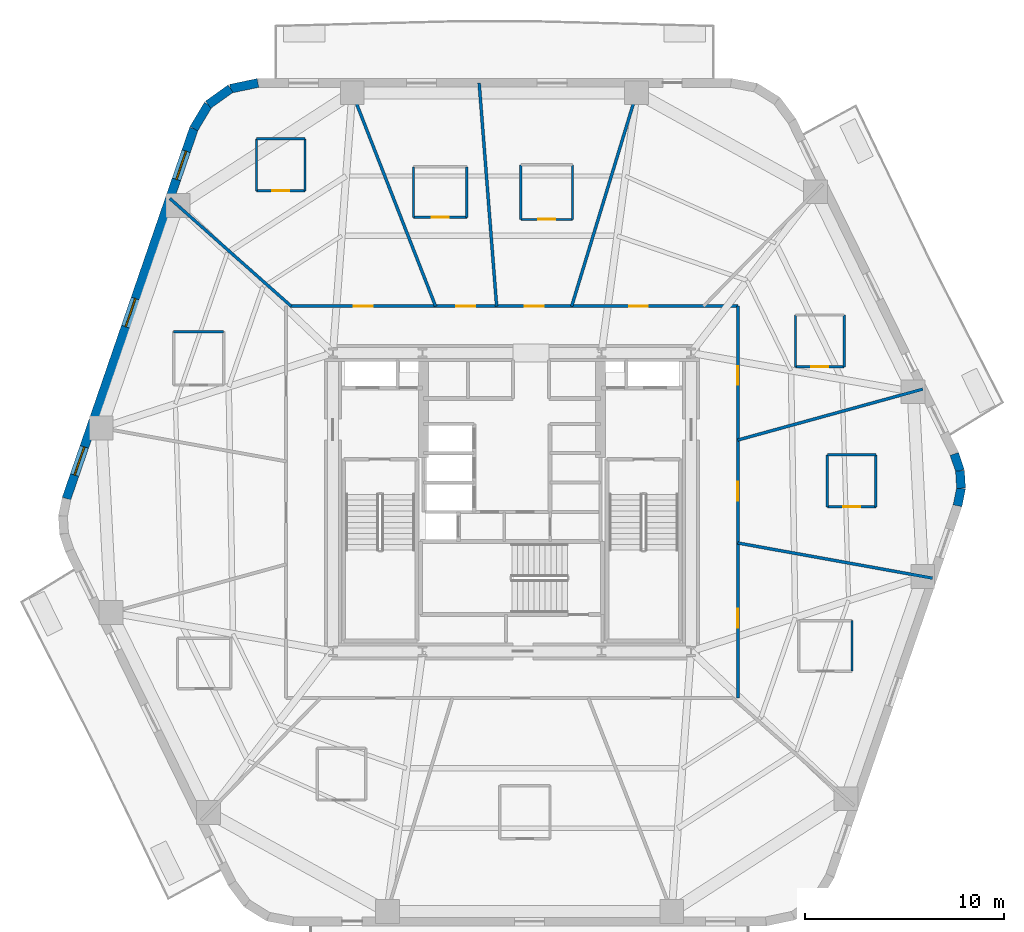
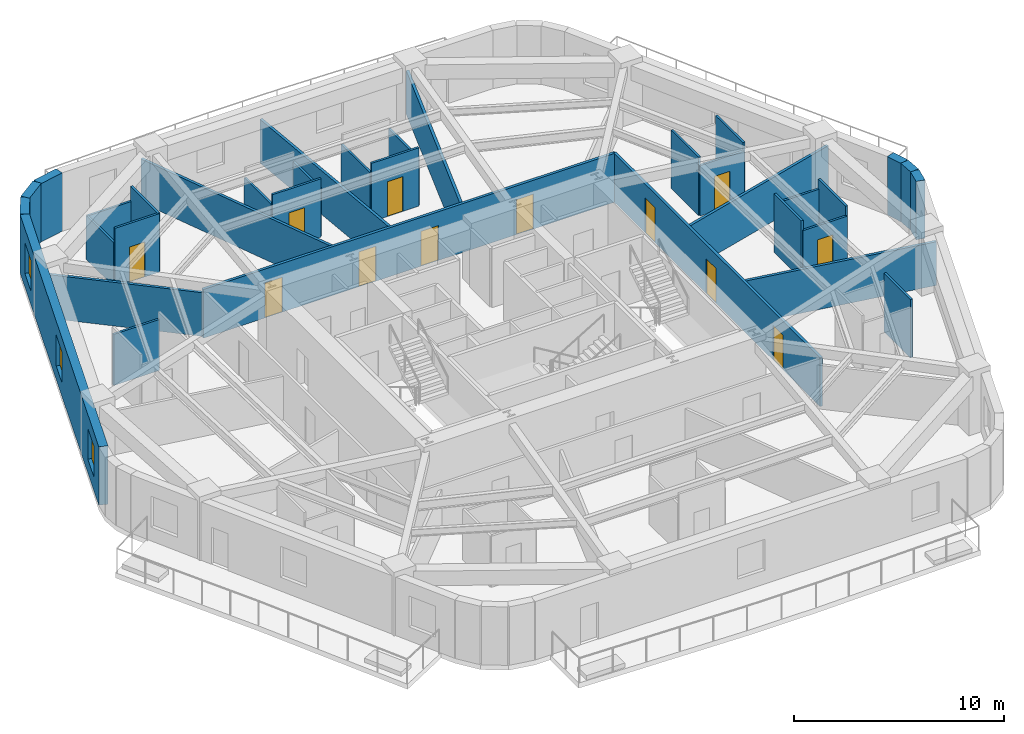
# One storey, part 5 of 9: 34 walls, 12 doors, 3 windows, 15 openings.
"""IFC4 building model written with IfcOpenShell, lengths in metres."""

from ifc_helpers import new_model, si_unit, direction, frame, frame_2d, origin, place, context, subcontext, project, spatial, rectangle, extrude, material, layer, layer_set, type_object, element, fill, save


model = new_model("IFC4")

# Units and contexts
model_context = context("Model", 3, precision=1e-05, world=origin(), true_north=direction((0.0, 1.0)))
body_context = subcontext(model_context, "Body", "Model", "MODEL_VIEW")
ifc_project = project(units=[si_unit("LENGTHUNIT", "METRE"), si_unit("AREAUNIT", "SQUARE_METRE"), si_unit("VOLUMEUNIT", "CUBIC_METRE"), si_unit("PLANEANGLEUNIT", "RADIAN"), si_unit("MASSUNIT", "GRAM", prefix="KILO")], contexts=[model_context])

# Site, building, storey
site_placement = place(None, origin())
site = spatial("IfcSite", under=ifc_project, at=site_placement, CompositionType="ELEMENT")
building_placement = place(site_placement, origin())
building = spatial("IfcBuilding", under=site, at=building_placement, Name="Kilnhurst Terrace Hotel", CompositionType="ELEMENT")
storey_placement = place(building_placement, frame((0.0, 0.0, 124.699951171875)))
storey = spatial("IfcBuildingStorey", under=building, at=storey_placement, Name="L30", CompositionType="ELEMENT", Elevation=124.699951171875)

# Walls
ifc_material_1 = material(Name="Precast concrete C40/50", Category="concrete")
ifc_layer_1 = layer(ifc_material_1, 0.449951171875, Name="Precast concrete C40/50")
ifc_layer_set_1 = layer_set([ifc_layer_1], Name="Precast concrete C40/50")
wall_type_1 = type_object("IfcWallType", Name="WL-BRK-450", PredefinedType="SOLIDWALL", material=ifc_layer_set_1)
wall_1_placement = place(storey_placement, frame((22.39697265625, -0.17919921875, 0.0), z_axis=(0.0, 0.0, 1.0), x_axis=(0.199313589404, 0.979935759669, 0.0)))
element("IfcWall", 1, at=wall_1_placement, inside=storey, type_object=wall_type_1, Name="L30 Rounded Corner Brick Wall C3.1", PredefinedType="SOLIDWALL", context=body_context, shape_type="SweptSolid", body=[
    extrude(rectangle(XDim=0.8955078125, YDim=0.449951171875, at=frame_2d((0.44775390625, 0.0))), origin(), (0.0, 0.0, 1.0), 3.400146484375),
])
wall_2_placement = place(storey_placement, frame((22.575439453125, 0.6982421875, 0.0), z_axis=(0.0, 0.0, 1.0), x_axis=(-0.060980441946, 0.998138961117, 0.0)))
element("IfcWall", 2, at=wall_2_placement, inside=storey, type_object=wall_type_1, Name="L30 Rounded Corner Brick Wall C3.2", PredefinedType="SOLIDWALL", context=body_context, shape_type="SweptSolid", body=[
    extrude(rectangle(XDim=0.880859375, YDim=0.449951171875, at=frame_2d((0.4404296875, 0.0))), origin(), (0.0, 0.0, 1.0), 3.400146484375),
])
wall_3_placement = place(storey_placement, frame((22.521728515625, 1.577392578125, 0.0), z_axis=(0.0, 0.0, 1.0), x_axis=(-0.317372694837, 0.948300887151, 0.0)))
element("IfcWall", 3, at=wall_3_placement, inside=storey, type_object=wall_type_1, Name="L30 Rounded Corner Brick Wall C3.3", PredefinedType="SOLIDWALL", context=body_context, shape_type="SweptSolid", body=[
    extrude(rectangle(XDim=0.8955078125, YDim=0.449951171875, at=frame_2d((0.44775390625, 0.0))), origin(), (0.0, 0.0, 1.0), 3.400146484375),
])
wall_4_placement = place(storey_placement, frame((-12.7705078125, 21.074951171875, 0.0), z_axis=(0.0, 0.0, 1.0), x_axis=(-0.97874281988, -0.205091424819, 0.0)))
element("IfcWall", 4, at=wall_4_placement, inside=storey, type_object=wall_type_1, Name="L30 Rounded Corner Brick Wall C5.1", PredefinedType="SOLIDWALL", context=body_context, shape_type="SweptSolid", body=[
    extrude(rectangle(XDim=1.40576171875, YDim=0.449951171875, at=frame_2d((0.702880859375, 0.0))), origin(), (0.0, 0.0, 1.0), 3.400146484375),
])
wall_5_placement = place(storey_placement, frame((-14.146484375, 20.78662109375, 0.0), z_axis=(0.0, 0.0, 1.0), x_axis=(-0.814162929117, -0.580636482536, 0.0)))
element("IfcWall", 5, at=wall_5_placement, inside=storey, type_object=wall_type_1, Name="L30 Rounded Corner Brick Wall C5.2", PredefinedType="SOLIDWALL", context=body_context, shape_type="SweptSolid", body=[
    extrude(rectangle(XDim=1.382080078125, YDim=0.449951171875, at=frame_2d((0.69091796875, 0.0))), origin(), (0.0, 0.0, 1.0), 3.400146484375),
])
wall_6_placement = place(storey_placement, frame((-15.271728515625, 19.984130859375, 0.0), z_axis=(0.0, 0.0, 1.0), x_axis=(-0.512579347361, -0.858639862025, 0.0)))
element("IfcWall", 6, at=wall_6_placement, inside=storey, type_object=wall_type_1, Name="L30 Rounded Corner Brick Wall C5.3", PredefinedType="SOLIDWALL", context=body_context, shape_type="SweptSolid", body=[
    extrude(rectangle(XDim=1.406005859375, YDim=0.449951171875, at=frame_2d((0.703125, 0.0))), origin(), (0.0, 0.0, 1.0), 3.400146484375),
])

# Wall, openings, windows
wall_7_placement = place(storey_placement, frame((-15.992431640625, 18.77685546875, 0.0), z_axis=(0.0, 0.0, 1.0), x_axis=(-0.325606988926, -0.945505202927, 0.0)))
wall_7 = element("IfcWall", 7, at=wall_7_placement, inside=storey, type_object=wall_type_1, Name="L30 Exterior Brick Facade Wall F5", PredefinedType="SOLIDWALL", context=body_context, shape_type="SweptSolid", body=[
    extrude(rectangle(XDim=19.66943359375, YDim=0.449951171875, at=frame_2d((9.834716796875, 0.0))), origin(), (0.0, 0.0, 1.0), 3.400146484375),
])
opening_1_placement = place(wall_7_placement, frame((1.197021484375, 0.0, 0.800048828125)))
opening_1 = element("IfcOpeningElement", 8, at=opening_1_placement, cuts=wall_7, Name="Opening W-02", PredefinedType="OPENING", context=body_context, shape_type="SweptSolid", body=[
    extrude(rectangle(XDim=1.5, YDim=1.800048828125, at=frame_2d((0.75, 0.89990234375))), frame((0.0, 0.23486328125, 0.0), z_axis=(0.0, -1.0, 0.0), x_axis=(1.0, 0.0, 0.0)), (0.0, 0.0, 1.0), 0.469970703125),
])
opening_2_placement = place(wall_7_placement, frame((9.030029296875, 0.0, 0.800048828125)))
opening_2 = element("IfcOpeningElement", 9, at=opening_2_placement, cuts=wall_7, Name="Opening W-02", PredefinedType="OPENING", context=body_context, shape_type="SweptSolid", body=[
    extrude(rectangle(XDim=1.5, YDim=1.800048828125, at=frame_2d((0.75, 0.89990234375))), frame((0.0, 0.23486328125, 0.0), z_axis=(0.0, -1.0, 0.0), x_axis=(1.0, 0.0, 0.0)), (0.0, 0.0, 1.0), 0.469970703125),
])
opening_3_placement = place(wall_7_placement, frame((16.91796875, 0.0, 0.800048828125)))
opening_3 = element("IfcOpeningElement", 10, at=opening_3_placement, cuts=wall_7, Name="Opening W-02", PredefinedType="OPENING", context=body_context, shape_type="SweptSolid", body=[
    extrude(rectangle(XDim=1.5, YDim=1.800048828125, at=frame_2d((0.75, 0.89990234375))), frame((0.0, 0.23486328125, 0.0), z_axis=(0.0, -1.0, 0.0), x_axis=(1.0, 0.0, 0.0)), (0.0, 0.0, 1.0), 0.469970703125),
])
ifc_material_2 = material(Name="Thermally Broken Bronze Aluminium Alloy 6063-T6 and Low-E Glass", Category="aluminium")
window_type = type_object("IfcWindowType", Name="WIN-1500X1800", PartitioningType="SINGLE_PANEL", PredefinedType="WINDOW", material=ifc_material_2)
window_1_placement = place(opening_1_placement, origin())
window_1 = element("IfcWindow", 11, at=window_1_placement, inside=storey, type_object=window_type, Name="L30 Deep-Set Masonry Window F5.1", OverallHeight=1.800048828125, OverallWidth=1.5, PartitioningType="SINGLE_PANEL", PredefinedType="WINDOW", context=body_context, shape_type="SweptSolid", body=[
    extrude(rectangle(XDim=1.5, YDim=1.800048828125, at=frame_2d((0.75, 0.89990234375))), frame((0.0, 0.030029296875, 0.0), z_axis=(0.0, -1.0, 0.0), x_axis=(1.0, 0.0, 0.0)), (0.0, 0.0, 1.0), 0.06005859375),
])
fill(opening_1, window_1)
window_2_placement = place(opening_2_placement, origin())
window_2 = element("IfcWindow", 12, at=window_2_placement, inside=storey, type_object=window_type, Name="L30 Deep-Set Masonry Window F5.2", OverallHeight=1.800048828125, OverallWidth=1.5, PartitioningType="SINGLE_PANEL", PredefinedType="WINDOW", context=body_context, shape_type="SweptSolid", body=[
    extrude(rectangle(XDim=1.5, YDim=1.800048828125, at=frame_2d((0.75, 0.89990234375))), frame((0.0, 0.030029296875, 0.0), z_axis=(0.0, -1.0, 0.0), x_axis=(1.0, 0.0, 0.0)), (0.0, 0.0, 1.0), 0.06005859375),
])
fill(opening_2, window_2)
window_3_placement = place(opening_3_placement, origin())
window_3 = element("IfcWindow", 13, at=window_3_placement, inside=storey, type_object=window_type, Name="L30 Deep-Set Masonry Window F5.3", OverallHeight=1.800048828125, OverallWidth=1.5, PartitioningType="SINGLE_PANEL", PredefinedType="WINDOW", context=body_context, shape_type="SweptSolid", body=[
    extrude(rectangle(XDim=1.5, YDim=1.800048828125, at=frame_2d((0.75, 0.89990234375))), frame((0.0, 0.030029296875, 0.0), z_axis=(0.0, -1.0, 0.0), x_axis=(1.0, 0.0, 0.0)), (0.0, 0.0, 1.0), 0.06005859375),
])
fill(opening_3, window_3)

# Wall, openings, doors
ifc_material_3 = material(Name="Acoustic Double-Gypsum Corridor Partition Assembly")
ifc_layer_2 = layer(ifc_material_3, 0.14990234375, Name="Acoustic Double-Gypsum Corridor Partition Assembly")
ifc_layer_set_2 = layer_set([ifc_layer_2], Name="Acoustic Double-Gypsum Corridor Partition Assembly")
wall_type_2 = type_object("IfcWallType", Name="WL-COR-150", PredefinedType="PARTITIONING", material=ifc_layer_set_2)
wall_8_placement = place(storey_placement, frame((-11.35009765625, 9.85009765625, 0.0), z_axis=(0.0, 0.0, 1.0), x_axis=(1.0, 0.0, 0.0)))
wall_8 = element("IfcWall", 14, at=wall_8_placement, inside=storey, type_object=wall_type_2, Name="L30 Interior Wall WL-L30-COR-02", PredefinedType="PARTITIONING", context=body_context, shape_type="SweptSolid", body=[
    extrude(rectangle(XDim=22.7001953125, YDim=0.14990234375, at=frame_2d((11.35009765625, 0.0))), origin(), (0.0, 0.0, 1.0), 2.840087890625),
])
opening_4_placement = place(wall_8_placement, frame((17.237060546875, 0.0, 0.0)))
opening_4 = element("IfcOpeningElement", 15, at=opening_4_placement, cuts=wall_8, Name="Opening D-60B", PredefinedType="OPENING", context=body_context, shape_type="SweptSolid", body=[
    extrude(rectangle(XDim=0.949951171875, YDim=2.030029296875, at=frame_2d((0.47509765625, 1.01513671875))), frame((0.0, 0.0849609375, 0.0), z_axis=(0.0, -1.0, 0.0), x_axis=(1.0, 0.0, 0.0)), (0.0, 0.0, 1.0), 0.169921875),
])
opening_5_placement = place(wall_8_placement, frame((11.993896484375, 0.0, 0.0)))
opening_5 = element("IfcOpeningElement", 16, at=opening_5_placement, cuts=wall_8, Name="Opening D-60B", PredefinedType="OPENING", context=body_context, shape_type="SweptSolid", body=[
    extrude(rectangle(XDim=0.949951171875, YDim=2.030029296875, at=frame_2d((0.47509765625, 1.01513671875))), frame((0.0, 0.0849609375, 0.0), z_axis=(0.0, -1.0, 0.0), x_axis=(1.0, 0.0, 0.0)), (0.0, 0.0, 1.0), 0.169921875),
])
opening_6_placement = place(wall_8_placement, frame((8.55908203125, 0.0, 0.0)))
opening_6 = element("IfcOpeningElement", 17, at=opening_6_placement, cuts=wall_8, Name="Opening D-60B", PredefinedType="OPENING", context=body_context, shape_type="SweptSolid", body=[
    extrude(rectangle(XDim=0.949951171875, YDim=2.030029296875, at=frame_2d((0.47509765625, 1.01513671875))), frame((0.0, 0.0849609375, 0.0), z_axis=(0.0, -1.0, 0.0), x_axis=(1.0, 0.0, 0.0)), (0.0, 0.0, 1.0), 0.169921875),
])
opening_7_placement = place(wall_8_placement, frame((3.39892578125, 0.0, 0.0)))
opening_7 = element("IfcOpeningElement", 18, at=opening_7_placement, cuts=wall_8, Name="Opening D-60B", PredefinedType="OPENING", context=body_context, shape_type="SweptSolid", body=[
    extrude(rectangle(XDim=0.949951171875, YDim=2.030029296875, at=frame_2d((0.47509765625, 1.01513671875))), frame((0.0, 0.0849609375, 0.0), z_axis=(0.0, -1.0, 0.0), x_axis=(1.0, 0.0, 0.0)), (0.0, 0.0, 1.0), 0.169921875),
])
ifc_material_4 = material(Name="Acoustic Walnut Veneer Solid-Core Fire Door")
door_type_1 = type_object("IfcDoorType", Name="DR-FD60-950", OperationType="NOTDEFINED", PredefinedType="DOOR", material=ifc_material_4)
door_1_placement = place(opening_4_placement, origin())
door_1 = element("IfcDoor", 19, at=door_1_placement, inside=storey, type_object=door_type_1, Name="L30 Wellness Hydrotherapy Room Door", OperationType="SINGLE_SWING_RIGHT", OverallHeight=2.030029296875, OverallWidth=0.949951171875, PredefinedType="DOOR", context=body_context, shape_type="SweptSolid", body=[
    extrude(rectangle(XDim=0.949951171875, YDim=2.030029296875, at=frame_2d((0.47509765625, 1.01513671875))), frame((0.0, 0.02490234375, 0.0), z_axis=(0.0, -1.0, 0.0), x_axis=(1.0, 0.0, 0.0)), (0.0, 0.0, 1.0), 0.050048828125),
])
fill(opening_4, door_1)
door_2_placement = place(opening_5_placement, origin())
door_2 = element("IfcDoor", 20, at=door_2_placement, inside=storey, type_object=door_type_1, Name="L30 Guest Room Entry Door 3", OperationType="SINGLE_SWING_LEFT", OverallHeight=2.030029296875, OverallWidth=0.949951171875, PredefinedType="DOOR", context=body_context, shape_type="SweptSolid", body=[
    extrude(rectangle(XDim=0.949951171875, YDim=2.030029296875, at=frame_2d((0.47509765625, 1.01513671875))), frame((0.0, 0.02490234375, 0.0), z_axis=(0.0, -1.0, 0.0), x_axis=(1.0, 0.0, 0.0)), (0.0, 0.0, 1.0), 0.050048828125),
])
fill(opening_5, door_2)
door_3_placement = place(opening_6_placement, origin())
door_3 = element("IfcDoor", 21, at=door_3_placement, inside=storey, type_object=door_type_1, Name="L30 Guest Room Entry Door 4", OperationType="SINGLE_SWING_RIGHT", OverallHeight=2.030029296875, OverallWidth=0.949951171875, PredefinedType="DOOR", context=body_context, shape_type="SweptSolid", body=[
    extrude(rectangle(XDim=0.949951171875, YDim=2.030029296875, at=frame_2d((0.47509765625, 1.01513671875))), frame((0.0, 0.02490234375, 0.0), z_axis=(0.0, -1.0, 0.0), x_axis=(1.0, 0.0, 0.0)), (0.0, 0.0, 1.0), 0.050048828125),
])
fill(opening_6, door_3)
door_4_placement = place(opening_7_placement, origin())
door_4 = element("IfcDoor", 22, at=door_4_placement, inside=storey, type_object=door_type_1, Name="L30 Executive Suite Entry Door 5", OperationType="SINGLE_SWING_LEFT", OverallHeight=2.030029296875, OverallWidth=0.949951171875, PredefinedType="DOOR", context=body_context, shape_type="SweptSolid", body=[
    extrude(rectangle(XDim=0.949951171875, YDim=2.030029296875, at=frame_2d((0.47509765625, 1.01513671875))), frame((0.0, 0.02490234375, 0.0), z_axis=(0.0, -1.0, 0.0), x_axis=(1.0, 0.0, 0.0)), (0.0, 0.0, 1.0), 0.050048828125),
])
fill(opening_7, door_4)

wall_9_placement = place(storey_placement, frame((11.35009765625, 9.85009765625, 0.0), z_axis=(0.0, 0.0, 1.0), x_axis=(0.0, -1.0, 0.0)))
wall_9 = element("IfcWall", 23, at=wall_9_placement, inside=storey, type_object=wall_type_2, Name="L30 Interior Wall WL-L30-COR-03", PredefinedType="PARTITIONING", context=body_context, shape_type="SweptSolid", body=[
    extrude(rectangle(XDim=19.7001953125, YDim=0.14990234375, at=frame_2d((9.85009765625, 0.0))), origin(), (0.0, 0.0, 1.0), 2.840087890625),
])
opening_8_placement = place(wall_9_placement, frame((3.008056640625, 0.0, 0.0)))
opening_8 = element("IfcOpeningElement", 24, at=opening_8_placement, cuts=wall_9, Name="Opening D-60B", PredefinedType="OPENING", context=body_context, shape_type="SweptSolid", body=[
    extrude(rectangle(XDim=0.949951171875, YDim=2.030029296875, at=frame_2d((0.47509765625, 1.01513671875))), frame((0.0, 0.0849609375, 0.0), z_axis=(0.0, -1.0, 0.0), x_axis=(1.0, 0.0, 0.0)), (0.0, 0.0, 1.0), 0.169921875),
])
opening_9_placement = place(wall_9_placement, frame((15.205078125, 0.0, 0.0)))
opening_9 = element("IfcOpeningElement", 25, at=opening_9_placement, cuts=wall_9, Name="Opening D-60B", PredefinedType="OPENING", context=body_context, shape_type="SweptSolid", body=[
    extrude(rectangle(XDim=0.949951171875, YDim=2.030029296875, at=frame_2d((0.47509765625, 1.01513671875))), frame((0.0, 0.0849609375, 0.0), z_axis=(0.0, -1.0, 0.0), x_axis=(1.0, 0.0, 0.0)), (0.0, 0.0, 1.0), 0.169921875),
])
opening_10_placement = place(wall_9_placement, frame((8.8359375, 0.0, 0.0)))
opening_10 = element("IfcOpeningElement", 26, at=opening_10_placement, cuts=wall_9, Name="Opening D-60B", PredefinedType="OPENING", context=body_context, shape_type="SweptSolid", body=[
    extrude(rectangle(XDim=0.949951171875, YDim=2.030029296875, at=frame_2d((0.47509765625, 1.01513671875))), frame((0.0, 0.0849609375, 0.0), z_axis=(0.0, -1.0, 0.0), x_axis=(1.0, 0.0, 0.0)), (0.0, 0.0, 1.0), 0.169921875),
])
door_5_placement = place(opening_8_placement, origin())
door_5 = element("IfcDoor", 27, at=door_5_placement, inside=storey, type_object=door_type_1, Name="L30 Executive Suite Entry Door 1", OperationType="SINGLE_SWING_LEFT", OverallHeight=2.030029296875, OverallWidth=0.949951171875, PredefinedType="DOOR", context=body_context, shape_type="SweptSolid", body=[
    extrude(rectangle(XDim=0.949951171875, YDim=2.030029296875, at=frame_2d((0.47509765625, 1.01513671875))), frame((0.0, 0.02490234375, 0.0), z_axis=(0.0, -1.0, 0.0), x_axis=(1.0, 0.0, 0.0)), (0.0, 0.0, 1.0), 0.050048828125),
])
fill(opening_8, door_5)
door_6_placement = place(opening_9_placement, origin())
door_6 = element("IfcDoor", 28, at=door_6_placement, inside=storey, type_object=door_type_1, Name="L30 Executive Suite Entry Door 12", OperationType="SINGLE_SWING_RIGHT", OverallHeight=2.030029296875, OverallWidth=0.949951171875, PredefinedType="DOOR", context=body_context, shape_type="SweptSolid", body=[
    extrude(rectangle(XDim=0.949951171875, YDim=2.030029296875, at=frame_2d((0.47509765625, 1.01513671875))), frame((0.0, 0.02490234375, 0.0), z_axis=(0.0, -1.0, 0.0), x_axis=(1.0, 0.0, 0.0)), (0.0, 0.0, 1.0), 0.050048828125),
])
fill(opening_9, door_6)
door_7_placement = place(opening_10_placement, origin())
door_7 = element("IfcDoor", 29, at=door_7_placement, inside=storey, type_object=door_type_1, Name="L30 Executive Suite Entry Door 13", OperationType="SINGLE_SWING_LEFT", OverallHeight=2.030029296875, OverallWidth=0.949951171875, PredefinedType="DOOR", context=body_context, shape_type="SweptSolid", body=[
    extrude(rectangle(XDim=0.949951171875, YDim=2.030029296875, at=frame_2d((0.47509765625, 1.01513671875))), frame((0.0, 0.02490234375, 0.0), z_axis=(0.0, -1.0, 0.0), x_axis=(1.0, 0.0, 0.0)), (0.0, 0.0, 1.0), 0.050048828125),
])
fill(opening_10, door_7)

# Walls
ifc_material_5 = material(Name="STC-58 Acoustic Twin-Frame Guestroom Demising Partition")
ifc_layer_3 = layer(ifc_material_5, 0.14990234375, Name="STC-58 Acoustic Twin-Frame Guestroom Demising Partition")
ifc_layer_set_3 = layer_set([ifc_layer_3], Name="STC-58 Acoustic Twin-Frame Guestroom Demising Partition")
wall_type_3 = type_object("IfcWallType", Name="WL-DEM-150", PredefinedType="PARTITIONING", material=ifc_layer_set_3)
wall_10_placement = place(storey_placement, frame((11.35009765625, 3.123291015625, 0.0), z_axis=(0.0, 0.0, 1.0), x_axis=(0.964151983214, 0.265350623261, 0.0)))
element("IfcWall", 30, at=wall_10_placement, inside=storey, type_object=wall_type_3, Name="L30 Interior Wall WL-L30-DEM-COL01-01-1", PredefinedType="PARTITIONING", context=body_context, shape_type="SweptSolid", body=[
    extrude(rectangle(XDim=9.64501953125, YDim=0.14990234375, at=frame_2d((4.822509765625, 0.0))), origin(), (0.0, 0.0, 1.0), 2.5400390625),
])
wall_11_placement = place(storey_placement, frame((3.0, 9.85009765625, 0.0), z_axis=(0.0, 0.0, 1.0), x_axis=(0.291352035382, 0.95661590593, 0.0)))
element("IfcWall", 31, at=wall_11_placement, inside=storey, type_object=wall_type_3, Name="L30 Interior Wall WL-L30-DEM-COL03-03-1", PredefinedType="PARTITIONING", context=body_context, shape_type="SweptSolid", body=[
    extrude(rectangle(XDim=11.73388671875, YDim=0.14990234375, at=frame_2d((5.866943359375, 0.0))), origin(), (0.0, 0.0, 1.0), 2.5400390625),
])
wall_12_placement = place(storey_placement, frame((-0.771728515625, 9.85009765625, 0.0), z_axis=(0.0, 0.0, 1.0), x_axis=(-0.078125747145, 0.996943512759, 0.0)))
element("IfcWall", 32, at=wall_12_placement, inside=storey, type_object=wall_type_3, Name="L30 Interior Wall WL-L30-DEM-MID03-04-1", PredefinedType="PARTITIONING", context=body_context, shape_type="SweptSolid", body=[
    extrude(rectangle(XDim=11.25927734375, YDim=0.14990234375, at=frame_2d((5.629638671875, 0.0))), origin(), (0.0, 0.0, 1.0), 2.5400390625),
])
wall_13_placement = place(storey_placement, frame((-3.84228515625, 9.85009765625, 0.0), z_axis=(0.0, 0.0, 1.0), x_axis=(-0.363432685593, 0.931620460833, 0.0)))
element("IfcWall", 33, at=wall_13_placement, inside=storey, type_object=wall_type_3, Name="L30 Interior Wall WL-L30-DEM-COL04-05-1", PredefinedType="PARTITIONING", context=body_context, shape_type="SweptSolid", body=[
    extrude(rectangle(XDim=12.048828125, YDim=0.14990234375, at=frame_2d((6.0244140625, 0.0))), origin(), (0.0, 0.0, 1.0), 2.5400390625),
])
wall_14_placement = place(storey_placement, frame((-11.097900390625, 9.85009765625, 0.0), z_axis=(0.0, 0.0, 1.0), x_axis=(-0.747904295103, 0.663806572253, 0.0)))
element("IfcWall", 34, at=wall_14_placement, inside=storey, type_object=wall_type_3, Name="L30 Interior Wall WL-L30-DEM-COL05-06-1", PredefinedType="PARTITIONING", context=body_context, shape_type="SweptSolid", body=[
    extrude(rectangle(XDim=8.160400390625, YDim=0.14990234375, at=frame_2d((4.080078125, 0.0))), origin(), (0.0, 0.0, 1.0), 2.5400390625),
])
wall_15_placement = place(storey_placement, frame((11.35009765625, -2.05078125, 0.0), z_axis=(0.0, 0.0, 1.0), x_axis=(0.984068313063, -0.177790762484, 0.0)))
element("IfcWall", 35, at=wall_15_placement, inside=storey, type_object=wall_type_3, Name="L30 Interior Wall WL-L30-DEM-COL12-13-1", PredefinedType="PARTITIONING", context=body_context, shape_type="SweptSolid", body=[
    extrude(rectangle(XDim=9.951416015625, YDim=0.14990234375, at=frame_2d((4.9755859375, 0.0))), origin(), (0.0, 0.0, 1.0), 2.5400390625),
])

# Wall, opening, door
ifc_material_6 = material(Name="120 mm Moisture-Resistant Tile-Backed Bathroom Partition")
ifc_layer_4 = layer(ifc_material_6, 0.1201171875, Name="120 mm Moisture-Resistant Tile-Backed Bathroom Partition")
ifc_layer_set_4 = layer_set([ifc_layer_4], Name="120 mm Moisture-Resistant Tile-Backed Bathroom Partition")
wall_type_4 = type_object("IfcWallType", Name="WL-PART-120", PredefinedType="PARTITIONING", material=ifc_layer_set_4)
wall_16_placement = place(storey_placement, frame((14.2548828125, 6.800048828125, 0.0), z_axis=(0.0, 0.0, 1.0), x_axis=(1.0, 0.0, 0.0)))
wall_16 = element("IfcWall", 36, at=wall_16_placement, inside=storey, type_object=wall_type_4, Name="L30 Interior Wall WL-L30-BTH-01-1", PredefinedType="PARTITIONING", context=body_context, shape_type="SweptSolid", body=[
    extrude(rectangle(XDim=2.440185546875, YDim=0.1201171875, at=frame_2d((1.22021484375, 0.0))), origin(), (0.0, 0.0, 1.0), 2.926513671875),
])
opening_11_placement = place(wall_16_placement, frame((0.794921875, 0.0, 0.0)))
opening_11 = element("IfcOpeningElement", 37, at=opening_11_placement, cuts=wall_16, Name="Opening D-08A", PredefinedType="OPENING", context=body_context, shape_type="SweptSolid", body=[
    extrude(rectangle(XDim=0.85009765625, YDim=2.030029296875, at=frame_2d((0.425048828125, 1.01513671875))), frame((0.0, 0.070068359375, 0.0), z_axis=(0.0, -1.0, 0.0), x_axis=(1.0, 0.0, 0.0)), (0.0, 0.0, 1.0), 0.14013671875),
])
ifc_material_7 = material(Name="Moisture-Resistant Lacquered En-suite Bathroom Door")
door_type_2 = type_object("IfcDoorType", Name="DR-INT-850", OperationType="NOTDEFINED", PredefinedType="DOOR", material=ifc_material_7)
door_8_placement = place(opening_11_placement, origin())
door_8 = element("IfcDoor", 38, at=door_8_placement, inside=storey, type_object=door_type_2, Name="L30 En-suite Bathroom Door 1", OperationType="SINGLE_SWING_RIGHT", OverallHeight=2.030029296875, OverallWidth=0.85009765625, PredefinedType="DOOR", context=body_context, shape_type="SweptSolid", body=[
    extrude(rectangle(XDim=0.85009765625, YDim=2.030029296875, at=frame_2d((0.425048828125, 1.01513671875))), frame((0.0, 0.02490234375, 0.0), z_axis=(0.0, -1.0, 0.0), x_axis=(1.0, 0.0, 0.0)), (0.0, 0.0, 1.0), 0.050048828125),
])
fill(opening_11, door_8)

# Walls
for number, where, z_axis, x_axis, name in (
    (39, (16.695068359375, 6.800048828125, 0.0), (0.0, 0.0, 1.0), (0.0, 1.0, 0.0), "L30 Interior Wall WL-L30-BTH-01-2"),
    (40, (14.2548828125, 9.409912109375, 0.0), (0.0, 0.0, 1.0), (0.0, -1.0, 0.0), "L30 Interior Wall WL-L30-BTH-01-4"),
):
    element("IfcWall", number, at=place(storey_placement, frame(where, z_axis=z_axis, x_axis=x_axis)), inside=storey, type_object=wall_type_4, Name=name, PredefinedType="PARTITIONING", context=body_context, shape_type="SweptSolid", body=[
        extrude(rectangle(XDim=2.60986328125, YDim=0.1201171875, at=frame_2d((1.304931640625, 0.0))), origin(), (0.0, 0.0, 1.0), 3.400146484375),
    ])

# Wall, opening, door
wall_17_placement = place(storey_placement, frame((0.44091796875, 14.2119140625, 0.0), z_axis=(0.0, 0.0, 1.0), x_axis=(1.0, 0.0, 0.0)))
wall_17 = element("IfcWall", 41, at=wall_17_placement, inside=storey, type_object=wall_type_4, Name="L30 Interior Wall WL-L30-BTH-03-1", PredefinedType="PARTITIONING", context=body_context, shape_type="SweptSolid", body=[
    extrude(rectangle(XDim=2.60009765625, YDim=0.1201171875, at=frame_2d((1.300048828125, 0.0))), origin(), (0.0, 0.0, 1.0), 3.400146484375),
])
opening_12_placement = place(wall_17_placement, frame((0.875, 0.0, 0.0)))
opening_12 = element("IfcOpeningElement", 42, at=opening_12_placement, cuts=wall_17, Name="Opening D-08A", PredefinedType="OPENING", context=body_context, shape_type="SweptSolid", body=[
    extrude(rectangle(XDim=0.85009765625, YDim=2.030029296875, at=frame_2d((0.425048828125, 1.01513671875))), frame((0.0, 0.070068359375, 0.0), z_axis=(0.0, -1.0, 0.0), x_axis=(1.0, 0.0, 0.0)), (0.0, 0.0, 1.0), 0.14013671875),
])
door_9_placement = place(opening_12_placement, origin())
door_9 = element("IfcDoor", 43, at=door_9_placement, inside=storey, type_object=door_type_2, Name="L30 En-suite Bathroom Door 3", OperationType="SINGLE_SWING_RIGHT", OverallHeight=2.030029296875, OverallWidth=0.85009765625, PredefinedType="DOOR", context=body_context, shape_type="SweptSolid", body=[
    extrude(rectangle(XDim=0.85009765625, YDim=2.030029296875, at=frame_2d((0.425048828125, 1.01513671875))), frame((0.0, 0.02490234375, 0.0), z_axis=(0.0, -1.0, 0.0), x_axis=(1.0, 0.0, 0.0)), (0.0, 0.0, 1.0), 0.050048828125),
])
fill(opening_12, door_9)

# Walls
for number, where, z_axis, x_axis, name in (
    (44, (3.041015625, 14.2119140625, 0.0), (0.0, 0.0, 1.0), (0.0, 1.0, 0.0), "L30 Interior Wall WL-L30-BTH-03-2"),
    (45, (0.44091796875, 16.9619140625, 0.0), (0.0, 0.0, 1.0), (0.0, -1.0, 0.0), "L30 Interior Wall WL-L30-BTH-03-4"),
):
    element("IfcWall", number, at=place(storey_placement, frame(where, z_axis=z_axis, x_axis=x_axis)), inside=storey, type_object=wall_type_4, Name=name, PredefinedType="PARTITIONING", context=body_context, shape_type="SweptSolid", body=[
        extrude(rectangle(XDim=2.75, YDim=0.1201171875, at=frame_2d((1.375, 0.0))), origin(), (0.0, 0.0, 1.0), 2.84033203125),
    ])

# Wall, opening, door
wall_18_placement = place(storey_placement, frame((-4.9541015625, 14.31689453125, 0.0), z_axis=(0.0, 0.0, 1.0), x_axis=(1.0, 0.0, 0.0)))
wall_18 = element("IfcWall", 46, at=wall_18_placement, inside=storey, type_object=wall_type_4, Name="L30 Interior Wall WL-L30-BTH-04-1", PredefinedType="PARTITIONING", context=body_context, shape_type="SweptSolid", body=[
    extrude(rectangle(XDim=2.68017578125, YDim=0.1201171875, at=frame_2d((1.340087890625, 0.0))), origin(), (0.0, 0.0, 1.0), 3.400146484375),
])
opening_13_placement = place(wall_18_placement, frame((0.9150390625, 0.0, 0.0)))
opening_13 = element("IfcOpeningElement", 47, at=opening_13_placement, cuts=wall_18, Name="Opening D-08A", PredefinedType="OPENING", context=body_context, shape_type="SweptSolid", body=[
    extrude(rectangle(XDim=0.85009765625, YDim=2.030029296875, at=frame_2d((0.425048828125, 1.01513671875))), frame((0.0, 0.070068359375, 0.0), z_axis=(0.0, -1.0, 0.0), x_axis=(1.0, 0.0, 0.0)), (0.0, 0.0, 1.0), 0.14013671875),
])
door_10_placement = place(opening_13_placement, origin())
door_10 = element("IfcDoor", 48, at=door_10_placement, inside=storey, type_object=door_type_2, Name="L30 En-suite Bathroom Door 4", OperationType="SINGLE_SWING_LEFT", OverallHeight=2.030029296875, OverallWidth=0.85009765625, PredefinedType="DOOR", context=body_context, shape_type="SweptSolid", body=[
    extrude(rectangle(XDim=0.85009765625, YDim=2.030029296875, at=frame_2d((0.425048828125, 1.01513671875))), frame((0.0, 0.02490234375, 0.0), z_axis=(0.0, -1.0, 0.0), x_axis=(1.0, 0.0, 0.0)), (0.0, 0.0, 1.0), 0.050048828125),
])
fill(opening_13, door_10)

# Walls
for number, where, z_axis, x_axis, name in (
    (49, (-2.27392578125, 14.31689453125, 0.0), (0.0, 0.0, 1.0), (0.0, 1.0, 0.0), "L30 Interior Wall WL-L30-BTH-04-2"),
    (50, (-4.9541015625, 16.85693359375, 0.0), (0.0, 0.0, 1.0), (0.0, -1.0, 0.0), "L30 Interior Wall WL-L30-BTH-04-4"),
):
    element("IfcWall", number, at=place(storey_placement, frame(where, z_axis=z_axis, x_axis=x_axis)), inside=storey, type_object=wall_type_4, Name=name, PredefinedType="PARTITIONING", context=body_context, shape_type="SweptSolid", body=[
        extrude(rectangle(XDim=2.5400390625, YDim=0.1201171875, at=frame_2d((1.27001953125, 0.0))), origin(), (0.0, 0.0, 1.0), 2.84033203125),
    ])

# Wall, opening, door
wall_19_placement = place(storey_placement, frame((-12.844970703125, 15.655029296875, 0.0), z_axis=(0.0, 0.0, 1.0), x_axis=(1.0, 0.0, 0.0)))
wall_19 = element("IfcWall", 51, at=wall_19_placement, inside=storey, type_object=wall_type_4, Name="L30 Interior Wall WL-L30-BTH-05-1", PredefinedType="PARTITIONING", context=body_context, shape_type="SweptSolid", body=[
    extrude(rectangle(XDim=2.43994140625, YDim=0.1201171875, at=frame_2d((1.219970703125, 0.0))), origin(), (0.0, 0.0, 1.0), 3.400146484375),
])
opening_14_placement = place(wall_19_placement, frame((0.794921875, 0.0, 0.0)))
opening_14 = element("IfcOpeningElement", 52, at=opening_14_placement, cuts=wall_19, Name="Opening D-08A", PredefinedType="OPENING", context=body_context, shape_type="SweptSolid", body=[
    extrude(rectangle(XDim=0.85009765625, YDim=2.030029296875, at=frame_2d((0.425048828125, 1.01513671875))), frame((0.0, 0.070068359375, 0.0), z_axis=(0.0, -1.0, 0.0), x_axis=(1.0, 0.0, 0.0)), (0.0, 0.0, 1.0), 0.14013671875),
])
door_11_placement = place(opening_14_placement, origin())
door_11 = element("IfcDoor", 53, at=door_11_placement, inside=storey, type_object=door_type_2, Name="L30 En-suite Bathroom Door 5", OperationType="SINGLE_SWING_RIGHT", OverallHeight=2.030029296875, OverallWidth=0.85009765625, PredefinedType="DOOR", context=body_context, shape_type="SweptSolid", body=[
    extrude(rectangle(XDim=0.85009765625, YDim=2.030029296875, at=frame_2d((0.425048828125, 1.01513671875))), frame((0.0, 0.02490234375, 0.0), z_axis=(0.0, -1.0, 0.0), x_axis=(1.0, 0.0, 0.0)), (0.0, 0.0, 1.0), 0.050048828125),
])
fill(opening_14, door_11)

# Walls
wall_20_placement = place(storey_placement, frame((-10.405029296875, 15.655029296875, 0.0), z_axis=(0.0, 0.0, 1.0), x_axis=(0.0, 1.0, 0.0)))
element("IfcWall", 54, at=wall_20_placement, inside=storey, type_object=wall_type_4, Name="L30 Interior Wall WL-L30-BTH-05-2", PredefinedType="PARTITIONING", context=body_context, shape_type="SweptSolid", body=[
    extrude(rectangle(XDim=2.60986328125, YDim=0.1201171875, at=frame_2d((1.304931640625, 0.0))), origin(), (0.0, 0.0, 1.0), 3.400146484375),
])
wall_21_placement = place(storey_placement, frame((-10.405029296875, 18.264892578125, 0.0), z_axis=(0.0, 0.0, 1.0), x_axis=(-1.0, 0.0, 0.0)))
element("IfcWall", 55, at=wall_21_placement, inside=storey, type_object=wall_type_4, Name="L30 Interior Wall WL-L30-BTH-05-3", PredefinedType="PARTITIONING", context=body_context, shape_type="SweptSolid", body=[
    extrude(rectangle(XDim=2.43994140625, YDim=0.1201171875, at=frame_2d((1.219970703125, 0.0))), origin(), (0.0, 0.0, 1.0), 2.5400390625),
])
wall_22_placement = place(storey_placement, frame((-12.844970703125, 18.264892578125, 0.0), z_axis=(0.0, 0.0, 1.0), x_axis=(0.0, -1.0, 0.0)))
element("IfcWall", 56, at=wall_22_placement, inside=storey, type_object=wall_type_4, Name="L30 Interior Wall WL-L30-BTH-05-4", PredefinedType="PARTITIONING", context=body_context, shape_type="SweptSolid", body=[
    extrude(rectangle(XDim=2.60986328125, YDim=0.1201171875, at=frame_2d((1.304931640625, 0.0))), origin(), (0.0, 0.0, 1.0), 2.5400390625),
])
wall_23_placement = place(storey_placement, frame((-14.493896484375, 8.570068359375, 0.0), z_axis=(0.0, 0.0, 1.0), x_axis=(-1.0, 0.0, 0.0)))
element("IfcWall", 57, at=wall_23_placement, inside=storey, type_object=wall_type_4, Name="L30 Interior Wall WL-L30-BTH-06-3", PredefinedType="PARTITIONING", context=body_context, shape_type="SweptSolid", body=[
    extrude(rectangle(XDim=2.52001953125, YDim=0.1201171875, at=frame_2d((1.260009765625, 0.0))), origin(), (0.0, 0.0, 1.0), 2.972412109375),
])
wall_24_placement = place(storey_placement, frame((17.093994140625, -8.5, 0.0), z_axis=(0.0, 0.0, 1.0), x_axis=(0.0, 1.0, 0.0)))
element("IfcWall", 58, at=wall_24_placement, inside=storey, type_object=wall_type_4, Name="L30 Interior Wall WL-L30-BTH-12-2", PredefinedType="PARTITIONING", context=body_context, shape_type="SweptSolid", body=[
    extrude(rectangle(XDim=2.5400390625, YDim=0.1201171875, at=frame_2d((1.27001953125, 0.0))), origin(), (0.0, 0.0, 1.0), 3.400146484375),
])

# Wall, opening, door
wall_25_placement = place(storey_placement, frame((15.85498046875, -0.23095703125, 0.0), z_axis=(0.0, 0.0, 1.0), x_axis=(1.0, 0.0, 0.0)))
wall_25 = element("IfcWall", 59, at=wall_25_placement, inside=storey, type_object=wall_type_4, Name="L30 Interior Wall WL-L30-BTH-13-1", PredefinedType="PARTITIONING", context=body_context, shape_type="SweptSolid", body=[
    extrude(rectangle(XDim=2.43994140625, YDim=0.1201171875, at=frame_2d((1.219970703125, 0.0))), origin(), (0.0, 0.0, 1.0), 2.84033203125),
])
opening_15_placement = place(wall_25_placement, frame((0.794921875, 0.0, 0.0)))
opening_15 = element("IfcOpeningElement", 60, at=opening_15_placement, cuts=wall_25, Name="Opening D-08A", PredefinedType="OPENING", context=body_context, shape_type="SweptSolid", body=[
    extrude(rectangle(XDim=0.85009765625, YDim=2.030029296875, at=frame_2d((0.425048828125, 1.01513671875))), frame((0.0, 0.070068359375, 0.0), z_axis=(0.0, -1.0, 0.0), x_axis=(1.0, 0.0, 0.0)), (0.0, 0.0, 1.0), 0.14013671875),
])
door_12_placement = place(opening_15_placement, origin())
door_12 = element("IfcDoor", 61, at=door_12_placement, inside=storey, type_object=door_type_2, Name="L30 En-suite Bathroom Door 13", OperationType="SINGLE_SWING_RIGHT", OverallHeight=2.030029296875, OverallWidth=0.85009765625, PredefinedType="DOOR", context=body_context, shape_type="SweptSolid", body=[
    extrude(rectangle(XDim=0.85009765625, YDim=2.030029296875, at=frame_2d((0.425048828125, 1.01513671875))), frame((0.0, 0.02490234375, 0.0), z_axis=(0.0, -1.0, 0.0), x_axis=(1.0, 0.0, 0.0)), (0.0, 0.0, 1.0), 0.050048828125),
])
fill(opening_15, door_12)

# Walls
wall_26_placement = place(storey_placement, frame((18.294921875, -0.23095703125, 0.0), z_axis=(0.0, 0.0, 1.0), x_axis=(0.0, 1.0, 0.0)))
element("IfcWall", 62, at=wall_26_placement, inside=storey, type_object=wall_type_4, Name="L30 Interior Wall WL-L30-BTH-13-2", PredefinedType="PARTITIONING", context=body_context, shape_type="SweptSolid", body=[
    extrude(rectangle(XDim=2.60986328125, YDim=0.1201171875, at=frame_2d((1.304931640625, 0.0))), origin(), (0.0, 0.0, 1.0), 3.400146484375),
])
wall_27_placement = place(storey_placement, frame((18.294921875, 2.37890625, 0.0), z_axis=(0.0, 0.0, 1.0), x_axis=(-1.0, 0.0, 0.0)))
element("IfcWall", 63, at=wall_27_placement, inside=storey, type_object=wall_type_4, Name="L30 Interior Wall WL-L30-BTH-13-3", PredefinedType="PARTITIONING", context=body_context, shape_type="SweptSolid", body=[
    extrude(rectangle(XDim=2.43994140625, YDim=0.1201171875, at=frame_2d((1.219970703125, 0.0))), origin(), (0.0, 0.0, 1.0), 2.84033203125),
])
wall_28_placement = place(storey_placement, frame((15.85498046875, 2.37890625, 0.0), z_axis=(0.0, 0.0, 1.0), x_axis=(0.0, -1.0, 0.0)))
element("IfcWall", 64, at=wall_28_placement, inside=storey, type_object=wall_type_4, Name="L30 Interior Wall WL-L30-BTH-13-4", PredefinedType="PARTITIONING", context=body_context, shape_type="SweptSolid", body=[
    extrude(rectangle(XDim=2.60986328125, YDim=0.1201171875, at=frame_2d((1.304931640625, 0.0))), origin(), (0.0, 0.0, 1.0), 3.400146484375),
])

save(model, "model.ifc")
